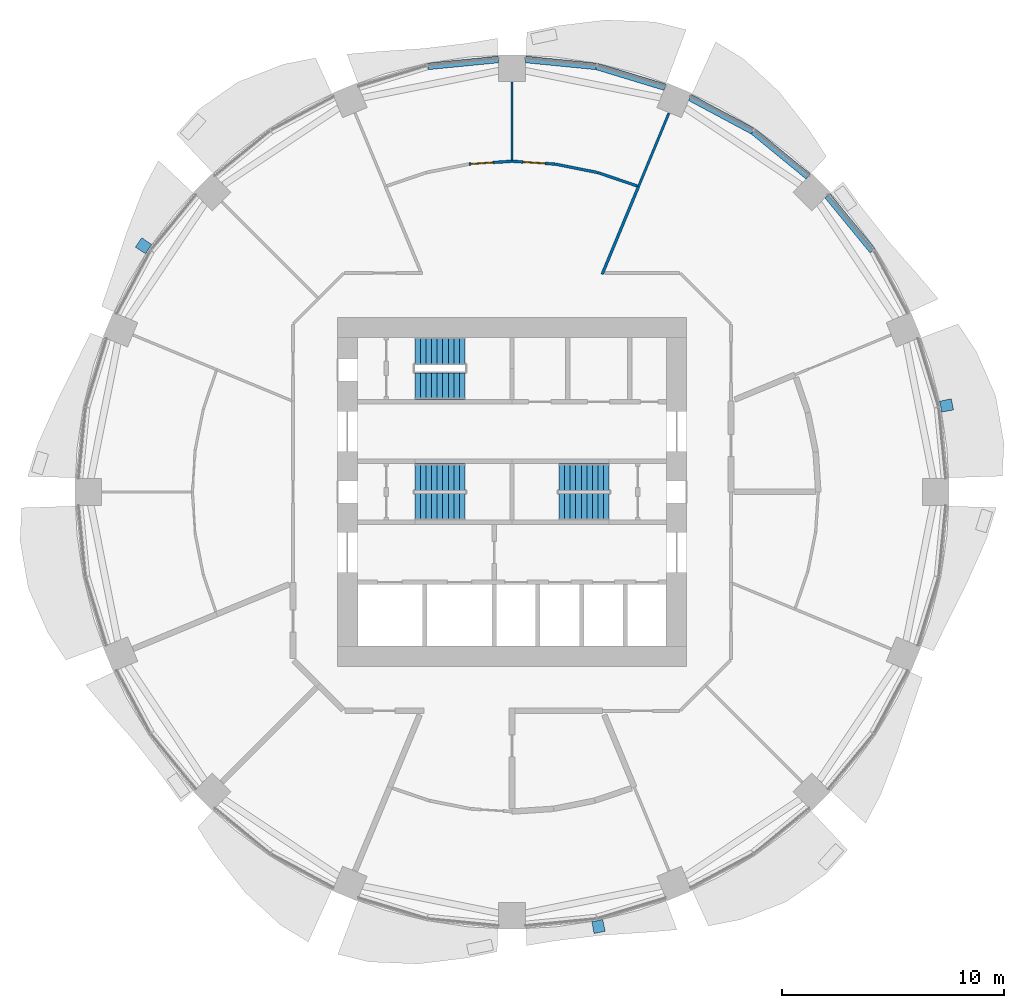
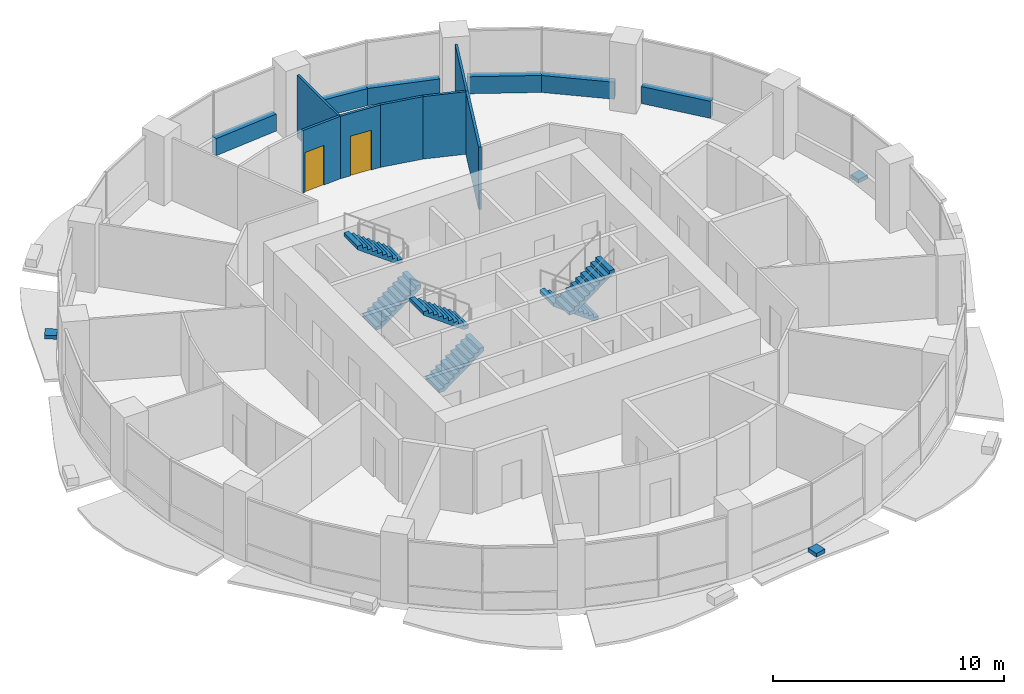
# One storey, part 11 of 15: 13 walls, 6 stair flights, 3 discrete accessories, 2 doors, 2 openings, 3 elements without a shape of their own.
"""IFC4 building model written with IfcOpenShell, lengths in metres."""

from ifc_helpers import new_model, si_unit, direction, frame, frame_2d, origin, place, context, subcontext, project, spatial, polyline, rectangle, outline, extrude, material, layer, layer_set, type_object, element, fill, aggregate, save


model = new_model("IFC4")

# Units and contexts
model_context = context("Model", 3, precision=1e-05, world=origin(), true_north=direction((0.0, 1.0)))
body_context = subcontext(model_context, "Body", "Model", "MODEL_VIEW")
ifc_project = project(units=[si_unit("LENGTHUNIT", "METRE"), si_unit("AREAUNIT", "SQUARE_METRE"), si_unit("VOLUMEUNIT", "CUBIC_METRE"), si_unit("PLANEANGLEUNIT", "RADIAN"), si_unit("MASSUNIT", "GRAM", prefix="KILO")], contexts=[model_context])

# Site, building, storey
site_placement = place(None, origin())
site = spatial("IfcSite", under=ifc_project, at=site_placement, CompositionType="ELEMENT")
building_placement = place(site_placement, origin())
building = spatial("IfcBuilding", under=site, at=building_placement, Name="Polderwave Tower", CompositionType="ELEMENT")
storey_placement = place(building_placement, frame((0.0, 0.0, 37.14990234375)))
storey = spatial("IfcBuildingStorey", under=building, at=storey_placement, Name="L09", CompositionType="ELEMENT", Elevation=37.14990234375)

# Walls
ifc_material_1 = material(Name="Concrete C50/60 (board-marked)", Category="concrete")
ifc_layer_1 = layer(ifc_material_1, 0.300048828125)
ifc_layer_set_1 = layer_set([ifc_layer_1], Name="Concrete spandrel upstand C50/60")
wall_type_1 = type_object("IfcWallType", Name="Concrete spandrel upstand C50/60", PredefinedType="SOLIDWALL", material=ifc_layer_set_1)
for number, where, z_axis, x_axis, name in (
    (1, (16.25341796875, 10.878662109375, 0.0), (0.0, 0.0, 1.0), (-0.634233658611, 0.773141427091, 0.0), "Spandrel L09 2b"),
    (2, (13.3544921875, 14.222412109375, 0.0), (0.0, 0.0, 1.0), (-0.773141427091, 0.634233658611, 0.0), "Spandrel L09 3a"),
):
    element("IfcWall", number, at=place(storey_placement, frame(where, z_axis=z_axis, x_axis=x_axis)), inside=storey, type_object=wall_type_1, Name=name, PredefinedType="SOLIDWALL", context=body_context, shape_type="SweptSolid", body=[
        extrude(rectangle(XDim=3.202392578125, YDim=0.300048828125, at=frame_2d((1.60107421875, 0.0))), origin(), (0.0, 0.0, 1.0), 0.900146484375),
    ])
wall_1_placement = place(storey_placement, frame((10.853759765625, 16.27001953125, 0.0), z_axis=(0.0, 0.0, 1.0), x_axis=(-0.881981372243, 0.471284265614, 0.0)))
element("IfcWall", 3, at=wall_1_placement, inside=storey, type_object=wall_type_1, Name="Spandrel L09 3b", PredefinedType="SOLIDWALL", context=body_context, shape_type="SweptSolid", body=[
    extrude(rectangle(XDim=3.20361328125, YDim=0.300048828125, at=frame_2d((1.601806640625, 0.0))), origin(), (0.0, 0.0, 1.0), 0.900146484375),
])
wall_2_placement = place(storey_placement, frame((6.89453125, 18.24951171875, 0.0), z_axis=(0.0, 0.0, 1.0), x_axis=(-0.956883225512, 0.290472877795, 0.0)))
element("IfcWall", 4, at=wall_2_placement, inside=storey, type_object=wall_type_1, Name="Spandrel L09 4a", PredefinedType="SOLIDWALL", context=body_context, shape_type="SweptSolid", body=[
    extrude(rectangle(XDim=3.202392578125, YDim=0.300048828125, at=frame_2d((1.60107421875, 0.0))), origin(), (0.0, 0.0, 1.0), 0.900146484375),
])
for number, where, z_axis, x_axis, name in (
    (5, (3.801025390625, 19.185546875, 0.0), (0.0, 0.0, 1.0), (-0.995186207606, 0.098002102993, 0.0), "Spandrel L09 4b"),
    (6, (-0.61279296875, 19.49951171875, 0.0), (0.0, 0.0, 1.0), (-0.995186207606, -0.098002102993, 0.0), "Spandrel L09 5a"),
):
    element("IfcWall", number, at=place(storey_placement, frame(where, z_axis=z_axis, x_axis=x_axis)), inside=storey, type_object=wall_type_1, Name=name, PredefinedType="SOLIDWALL", context=body_context, shape_type="SweptSolid", body=[
        extrude(rectangle(XDim=3.20361328125, YDim=0.300048828125, at=frame_2d((1.601806640625, 0.0))), origin(), (0.0, 0.0, 1.0), 0.900146484375),
    ])
ifc_material_2 = material(Name="Fire-resisting board on steel studs", Category="steel")
ifc_layer_2 = layer(ifc_material_2, 0.125)
ifc_layer_set_2 = layer_set([ifc_layer_2], Name="Corridor wall 125 mm EI 60")
wall_type_2 = type_object("IfcWallType", Name="Corridor wall 125 mm EI 60", PredefinedType="PARTITIONING", material=ifc_layer_set_2)
wall_3_placement = place(storey_placement, frame((4.06591796875, 9.81640625, 0.0), z_axis=(0.0, 0.0, 1.0), x_axis=(0.382709065586, 0.923868914467, 0.0)))
element("IfcWall", 7, at=wall_3_placement, inside=storey, type_object=wall_type_2, Name="IN-L09-W032", PredefinedType="PARTITIONING", context=body_context, shape_type="SweptSolid", body=[
    extrude(rectangle(XDim=4.284912109375, YDim=0.125, at=frame_2d((2.142578125, 0.0))), origin(), (0.0, 0.0, 1.0), 3.300048828125),
])

# Wall, opening, door
wall_4_placement = place(storey_placement, frame((0.0, 14.909912109375, 0.0), z_axis=(0.0, 0.0, 1.0), x_axis=(0.997861646388, -0.065361568741, 0.0)))
wall_4 = element("IfcWall", 8, at=wall_4_placement, inside=storey, type_object=wall_type_2, Name="IN-L09-W033", PredefinedType="PARTITIONING", context=body_context, shape_type="SweptSolid", body=[
    extrude(rectangle(XDim=1.946044921875, YDim=0.125, at=frame_2d((0.97314453125, 0.0))), origin(), (0.0, 0.0, 1.0), 3.300048828125),
])
opening_1_placement = place(wall_4_placement, frame((0.5, 0.0, 0.0)))
opening_1 = element("IfcOpeningElement", 9, at=opening_1_placement, cuts=wall_4, Name="Opening L09-D61", PredefinedType="OPENING", context=body_context, shape_type="SweptSolid", body=[
    extrude(rectangle(XDim=1.0, YDim=2.10009765625, at=frame_2d((0.5, 1.050048828125))), frame((0.0, 0.072509765625, 0.0), z_axis=(0.0, -1.0, 0.0), x_axis=(1.0, 0.0, 0.0)), (0.0, 0.0, 1.0), 0.14501953125),
])
ifc_material_3 = material(Name="Timber fire door leaf", Category="wood")
door_type = type_object("IfcDoorType", Name="Fire door FD30S 1000 x 2100", OperationType="NOTDEFINED", PredefinedType="DOOR", material=ifc_material_3)
door_1_placement = place(opening_1_placement, origin())
door_1 = element("IfcDoor", 10, at=door_1_placement, inside=storey, type_object=door_type, Name="Door L09-D61", OperationType="SINGLE_SWING_RIGHT", OverallHeight=2.10009765625, OverallWidth=1.0, PredefinedType="DOOR", context=body_context, shape_type="SweptSolid", body=[
    extrude(rectangle(XDim=1.0, YDim=2.10009765625, at=frame_2d((0.5, 1.050048828125))), frame((0.0, 0.02490234375, 0.0), z_axis=(0.0, -1.0, 0.0), x_axis=(1.0, 0.0, 0.0)), (0.0, 0.0, 1.0), 0.050048828125),
])
fill(opening_1, door_1)

# Walls
wall_5_placement = place(storey_placement, frame((3.85498046875, 14.40283203125, 0.0), z_axis=(0.0, 0.0, 1.0), x_axis=(-0.980807266515, 0.194979757801, 0.0)))
element("IfcWall", 11, at=wall_5_placement, inside=storey, type_object=wall_type_2, Name="IN-L09-W034", PredefinedType="PARTITIONING", context=body_context, shape_type="SweptSolid", body=[
    extrude(rectangle(XDim=1.942138671875, YDim=0.125, at=frame_2d((0.97119140625, 0.0))), origin(), (0.0, 0.0, 1.0), 3.300048828125),
])
wall_6_placement = place(storey_placement, frame((5.642578125, 13.79638671875, 0.0), z_axis=(0.0, 0.0, 1.0), x_axis=(-0.946915165682, 0.321483543904, 0.0)))
element("IfcWall", 12, at=wall_6_placement, inside=storey, type_object=wall_type_2, Name="IN-L09-W035", PredefinedType="PARTITIONING", context=body_context, shape_type="SweptSolid", body=[
    extrude(rectangle(XDim=1.879638671875, YDim=0.125, at=frame_2d((0.93994140625, 0.0))), origin(), (0.0, 0.0, 1.0), 3.300048828125),
])

# Wall, opening, door
wall_7_placement = place(storey_placement, frame((-1.94189453125, 14.78271484375, 0.0), z_axis=(0.0, 0.0, 1.0), x_axis=(0.997861646388, 0.065361568741, 0.0)))
wall_7 = element("IfcWall", 13, at=wall_7_placement, inside=storey, type_object=wall_type_2, Name="IN-L09-W039", PredefinedType="PARTITIONING", context=body_context, shape_type="SweptSolid", body=[
    extrude(rectangle(XDim=1.946044921875, YDim=0.125, at=frame_2d((0.97314453125, 0.0))), origin(), (0.0, 0.0, 1.0), 3.300048828125),
])
opening_2_placement = place(wall_7_placement, frame((0.10009765625, 0.0, 0.0)))
opening_2 = element("IfcOpeningElement", 14, at=opening_2_placement, cuts=wall_7, Name="Opening L09-D62", PredefinedType="OPENING", context=body_context, shape_type="SweptSolid", body=[
    extrude(rectangle(XDim=1.0, YDim=2.10009765625, at=frame_2d((0.5, 1.050048828125))), frame((0.0, 0.072509765625, 0.0), z_axis=(0.0, -1.0, 0.0), x_axis=(1.0, 0.0, 0.0)), (0.0, 0.0, 1.0), 0.14501953125),
])
door_2_placement = place(opening_2_placement, origin())
door_2 = element("IfcDoor", 15, at=door_2_placement, inside=storey, type_object=door_type, Name="Door L09-D62", OperationType="SINGLE_SWING_LEFT", OverallHeight=2.10009765625, OverallWidth=1.0, PredefinedType="DOOR", context=body_context, shape_type="SweptSolid", body=[
    extrude(rectangle(XDim=1.0, YDim=2.10009765625, at=frame_2d((0.5, 1.050048828125))), frame((0.0, 0.02490234375, 0.0), z_axis=(0.0, -1.0, 0.0), x_axis=(1.0, 0.0, 0.0)), (0.0, 0.0, 1.0), 0.050048828125),
])
fill(opening_2, door_2)

# Walls
ifc_material_4 = material(Name="Acoustic double plasterboard on steel studs", Category="steel")
ifc_layer_3 = layer(ifc_material_4, 0.110107421875)
ifc_layer_set_3 = layer_set([ifc_layer_3], Name="Partition 110 mm acoustic double board")
wall_type_3 = type_object("IfcWallType", Name="Partition 110 mm acoustic double board", PredefinedType="PARTITIONING", material=ifc_layer_set_3)
wall_8_placement = place(storey_placement, frame((5.705810546875, 13.775146484375, 0.0), z_axis=(0.0, 0.0, 1.0), x_axis=(0.382706138858, 0.923870126847, 0.0)))
element("IfcWall", 16, at=wall_8_placement, inside=storey, type_object=wall_type_3, Name="IN-L09-W031", PredefinedType="PARTITIONING", context=body_context, shape_type="SweptSolid", body=[
    extrude(rectangle(XDim=3.56982421875, YDim=0.110107421875, at=frame_2d((1.784912109375, 0.0))), origin(), (0.0, 0.0, 1.0), 3.300048828125),
])
wall_9_placement = place(storey_placement, frame((0.0, 14.976318359375, 0.0), z_axis=(0.0, 0.0, 1.0), x_axis=(0.0, 1.0, 0.0)))
element("IfcWall", 17, at=wall_9_placement, inside=storey, type_object=wall_type_3, Name="IN-L09-W036", PredefinedType="PARTITIONING", context=body_context, shape_type="SweptSolid", body=[
    extrude(rectangle(XDim=3.503662109375, YDim=0.110107421875, at=frame_2d((1.751953125, 0.0))), origin(), (0.0, 0.0, 1.0), 3.300048828125),
])

# Stair, stair flights
ifc_material_5 = material(Name="Concrete C40/50", Category="concrete")
stair_type = type_object("IfcStairType", Name="Exit stair 1200 x 20 risers", PredefinedType="HALF_TURN_STAIR", material=ifc_material_5)
stair_1_placement = place(storey_placement, origin())
stair_1 = element("IfcStair", 18, at=stair_1_placement, inside=storey, type_object=stair_type, Name="L09 Exit stair A", PredefinedType="HALF_TURN_STAIR")
stair_flight_type = type_object("IfcStairFlightType", Name="Stair flight 1200", PredefinedType="STRAIGHT", material=ifc_material_5)
stair_flight_1_placement = place(storey_placement, frame((-4.3740234375, -0.675048828125, 0.0), z_axis=(0.0, 0.0, 1.0), x_axis=(1.0, 0.0, 0.0)))
stair_flight_1 = element("IfcStairFlight", 19, at=stair_flight_1_placement, type_object=stair_flight_type, Name="ST-A flight 1", NumberOfRisers=10, NumberOfTreads=9, PredefinedType="STRAIGHT", RiserHeight=0.1825, TreadLength=0.25, context=body_context, shape_type="SweptSolid", body=[
    extrude(outline(polyline([(0.0, 0.0), (0.0, 0.1826171875), (0.25, 0.1826171875), (0.25, 0.364990234375), (0.5, 0.364990234375), (0.5, 0.547607421875), (0.75, 0.547607421875), (0.75, 0.72998046875), (1.0, 0.72998046875), (1.0, 0.91259765625), (1.25, 0.91259765625), (1.25, 1.094970703125), (1.5, 1.094970703125), (1.5, 1.277587890625), (1.75, 1.277587890625), (1.75, 1.4599609375), (2.0, 1.4599609375), (2.0, 1.642578125), (2.25, 1.642578125), (2.25, 1.824951171875), (2.25, 1.456787109375), (0.254150390625, 0.0), (0.0, 0.0)])), frame((0.0, 0.60009765625, 0.0), z_axis=(0.0, -1.0, 0.0), x_axis=(1.0, 0.0, 0.0)), (0.0, 0.0, 1.0), 1.199951171875),
])
stair_flight_2_placement = place(storey_placement, frame((-2.1240234375, 0.675048828125, 1.8251953125), z_axis=(0.0, 0.0, 1.0), x_axis=(-1.0, 0.0, 0.0)))
stair_flight_2 = element("IfcStairFlight", 20, at=stair_flight_2_placement, type_object=stair_flight_type, Name="ST-A flight 2", NumberOfRisers=10, NumberOfTreads=9, PredefinedType="STRAIGHT", RiserHeight=0.1825, TreadLength=0.25, context=body_context, shape_type="SweptSolid", body=[
    extrude(outline(polyline([(0.0, 0.0), (0.0, 0.1826171875), (0.25, 0.1826171875), (0.25, 0.364990234375), (0.5, 0.364990234375), (0.5, 0.547607421875), (0.75, 0.547607421875), (0.75, 0.72998046875), (1.0, 0.72998046875), (1.0, 0.91259765625), (1.25, 0.91259765625), (1.25, 1.094970703125), (1.5, 1.094970703125), (1.5, 1.277587890625), (1.75, 1.277587890625), (1.75, 1.4599609375), (2.0, 1.4599609375), (2.0, 1.642578125), (2.25, 1.642578125), (2.25, 1.824951171875), (2.25, 1.456787109375), (0.254150390625, 0.0), (0.0, 0.0)])), frame((0.0, 0.60009765625, 0.0), z_axis=(0.0, -1.0, 0.0), x_axis=(1.0, 0.0, 0.0)), (0.0, 0.0, 1.0), 1.199951171875),
])
aggregate(stair_1, [stair_flight_1, stair_flight_2])

stair_2_placement = place(storey_placement, origin())
stair_2 = element("IfcStair", 21, at=stair_2_placement, inside=storey, type_object=stair_type, Name="L09 Exit stair B", PredefinedType="HALF_TURN_STAIR")
stair_flight_3_placement = place(storey_placement, frame((4.3740234375, 0.675048828125, 0.0), z_axis=(0.0, 0.0, 1.0), x_axis=(-1.0, 0.0, 0.0)))
stair_flight_3 = element("IfcStairFlight", 22, at=stair_flight_3_placement, type_object=stair_flight_type, Name="ST-B flight 1", NumberOfRisers=10, NumberOfTreads=9, PredefinedType="STRAIGHT", RiserHeight=0.1825, TreadLength=0.25, context=body_context, shape_type="SweptSolid", body=[
    extrude(outline(polyline([(0.0, 0.0), (0.0, 0.1826171875), (0.25, 0.1826171875), (0.25, 0.364990234375), (0.5, 0.364990234375), (0.5, 0.547607421875), (0.75, 0.547607421875), (0.75, 0.72998046875), (1.0, 0.72998046875), (1.0, 0.91259765625), (1.25, 0.91259765625), (1.25, 1.094970703125), (1.5, 1.094970703125), (1.5, 1.277587890625), (1.75, 1.277587890625), (1.75, 1.4599609375), (2.0, 1.4599609375), (2.0, 1.642578125), (2.25, 1.642578125), (2.25, 1.824951171875), (2.25, 1.456787109375), (0.254150390625, 0.0), (0.0, 0.0)])), frame((0.0, 0.60009765625, 0.0), z_axis=(0.0, -1.0, 0.0), x_axis=(1.0, 0.0, 0.0)), (0.0, 0.0, 1.0), 1.199951171875),
])
stair_flight_4_placement = place(storey_placement, frame((2.1240234375, -0.675048828125, 1.8251953125), z_axis=(0.0, 0.0, 1.0), x_axis=(1.0, 0.0, 0.0)))
stair_flight_4 = element("IfcStairFlight", 23, at=stair_flight_4_placement, type_object=stair_flight_type, Name="ST-B flight 2", NumberOfRisers=10, NumberOfTreads=9, PredefinedType="STRAIGHT", RiserHeight=0.1825, TreadLength=0.25, context=body_context, shape_type="SweptSolid", body=[
    extrude(outline(polyline([(0.0, 0.0), (0.0, 0.1826171875), (0.25, 0.1826171875), (0.25, 0.364990234375), (0.5, 0.364990234375), (0.5, 0.547607421875), (0.75, 0.547607421875), (0.75, 0.72998046875), (1.0, 0.72998046875), (1.0, 0.91259765625), (1.25, 0.91259765625), (1.25, 1.094970703125), (1.5, 1.094970703125), (1.5, 1.277587890625), (1.75, 1.277587890625), (1.75, 1.4599609375), (2.0, 1.4599609375), (2.0, 1.642578125), (2.25, 1.642578125), (2.25, 1.824951171875), (2.25, 1.456787109375), (0.254150390625, 0.0), (0.0, 0.0)])), frame((0.0, 0.60009765625, 0.0), z_axis=(0.0, -1.0, 0.0), x_axis=(1.0, 0.0, 0.0)), (0.0, 0.0, 1.0), 1.199951171875),
])
aggregate(stair_2, [stair_flight_3, stair_flight_4])

stair_3_placement = place(storey_placement, origin())
stair_3 = element("IfcStair", 24, at=stair_3_placement, inside=storey, type_object=stair_type, Name="L09 Exit stair C", PredefinedType="HALF_TURN_STAIR")
stair_flight_5_placement = place(storey_placement, frame((-4.3740234375, 4.77392578125, 0.0), z_axis=(0.0, 0.0, 1.0), x_axis=(1.0, 0.0, 0.0)))
stair_flight_5 = element("IfcStairFlight", 25, at=stair_flight_5_placement, type_object=stair_flight_type, Name="ST-C flight 1", NumberOfRisers=10, NumberOfTreads=9, PredefinedType="STRAIGHT", RiserHeight=0.1825, TreadLength=0.25, context=body_context, shape_type="SweptSolid", body=[
    extrude(outline(polyline([(0.0, 0.0), (0.0, 0.1826171875), (0.25, 0.1826171875), (0.25, 0.364990234375), (0.5, 0.364990234375), (0.5, 0.547607421875), (0.75, 0.547607421875), (0.75, 0.72998046875), (1.0, 0.72998046875), (1.0, 0.91259765625), (1.25, 0.91259765625), (1.25, 1.094970703125), (1.5, 1.094970703125), (1.5, 1.277587890625), (1.75, 1.277587890625), (1.75, 1.4599609375), (2.0, 1.4599609375), (2.0, 1.642578125), (2.25, 1.642578125), (2.25, 1.824951171875), (2.25, 1.456787109375), (0.254150390625, 0.0), (0.0, 0.0)])), frame((0.0, 0.60009765625, 0.0), z_axis=(0.0, -1.0, 0.0), x_axis=(1.0, 0.0, 0.0)), (0.0, 0.0, 1.0), 1.199951171875),
])
stair_flight_6_placement = place(storey_placement, frame((-2.1240234375, 6.3740234375, 1.8251953125), z_axis=(0.0, 0.0, 1.0), x_axis=(-1.0, 0.0, 0.0)))
stair_flight_6 = element("IfcStairFlight", 26, at=stair_flight_6_placement, type_object=stair_flight_type, Name="ST-C flight 2", NumberOfRisers=10, NumberOfTreads=9, PredefinedType="STRAIGHT", RiserHeight=0.1825, TreadLength=0.25, context=body_context, shape_type="SweptSolid", body=[
    extrude(outline(polyline([(0.0, 0.0), (0.0, 0.1826171875), (0.25, 0.1826171875), (0.25, 0.364990234375), (0.5, 0.364990234375), (0.5, 0.547607421875), (0.75, 0.547607421875), (0.75, 0.72998046875), (1.0, 0.72998046875), (1.0, 0.91259765625), (1.25, 0.91259765625), (1.25, 1.094970703125), (1.5, 1.094970703125), (1.5, 1.277587890625), (1.75, 1.277587890625), (1.75, 1.4599609375), (2.0, 1.4599609375), (2.0, 1.642578125), (2.25, 1.642578125), (2.25, 1.824951171875), (2.25, 1.456787109375), (0.254150390625, 0.0), (0.0, 0.0)])), frame((0.0, 0.60009765625, 0.0), z_axis=(0.0, -1.0, 0.0), x_axis=(1.0, 0.0, 0.0)), (0.0, 0.0, 1.0), 1.199951171875),
])
aggregate(stair_3, [stair_flight_5, stair_flight_6])

# Discrete accessories
ifc_material_6 = material(Name="Steel S355", Category="steel")
discrete_accessory_type = type_object("IfcDiscreteAccessoryType", Name="Band bracket pad", PredefinedType="BRACKET", material=ifc_material_6)
discrete_accessory_1_placement = place(storey_placement, frame((0.0, 0.0, -0.199951171875)))
element("IfcDiscreteAccessory", 27, at=discrete_accessory_1_placement, inside=storey, type_object=discrete_accessory_type, Name="Band bracket L09 1", PredefinedType="BRACKET", context=body_context, shape_type="SweptSolid", body=[
    extrude(outline(polyline([(19.367919921875, 3.597900390625), (19.331298828125, 3.84521484375), (19.2705078125, 4.087646484375), (19.80859375, 4.201904296875), (19.90869140625, 3.698486328125), (19.367919921875, 3.597900390625)])), origin(), (0.0, 0.0, 1.0), 0.199951171875),
])
discrete_accessory_2_placement = place(storey_placement, frame((0.0, 0.0, -0.199951171875)))
element("IfcDiscreteAccessory", 28, at=discrete_accessory_2_placement, inside=storey, type_object=discrete_accessory_type, Name="Band bracket L09 7", PredefinedType="BRACKET", context=body_context, shape_type="SweptSolid", body=[
    extrude(outline(polyline([(-16.2392578125, 11.151123046875), (-16.38818359375, 10.9501953125), (-16.516845703125, 10.73583984375), (-16.977783203125, 11.03564453125), (-16.692626953125, 11.46240234375), (-16.2392578125, 11.151123046875)])), origin(), (0.0, 0.0, 1.0), 0.199951171875),
])
discrete_accessory_3_placement = place(storey_placement, frame((0.0, 0.0, -0.199951171875)))
element("IfcDiscreteAccessory", 29, at=discrete_accessory_3_placement, inside=storey, type_object=discrete_accessory_type, Name="Band bracket L09 13", PredefinedType="BRACKET", context=body_context, shape_type="SweptSolid", body=[
    extrude(outline(polyline([(3.597900390625, -19.367919921875), (3.84521484375, -19.331298828125), (4.087646484375, -19.2705078125), (4.201904296875, -19.80859375), (3.698486328125, -19.90869140625), (3.597900390625, -19.367919921875)])), origin(), (0.0, 0.0, 1.0), 0.199951171875),
])

save(model, "model.ifc")
